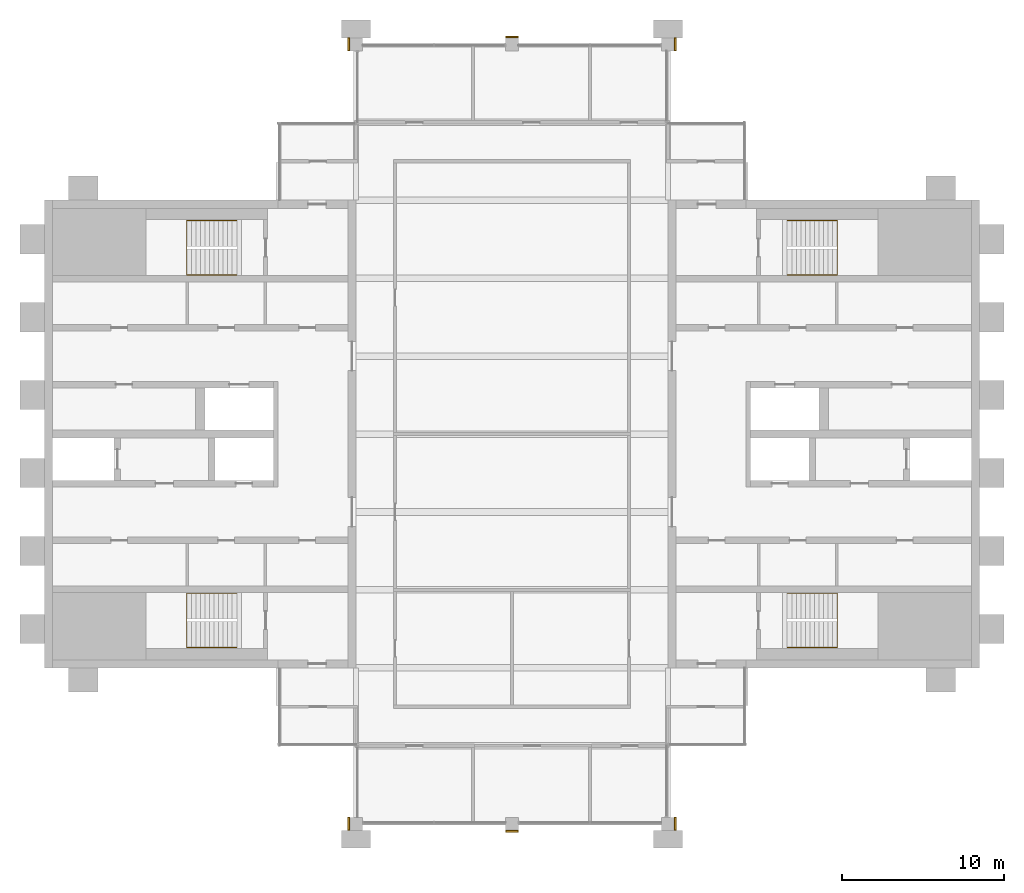
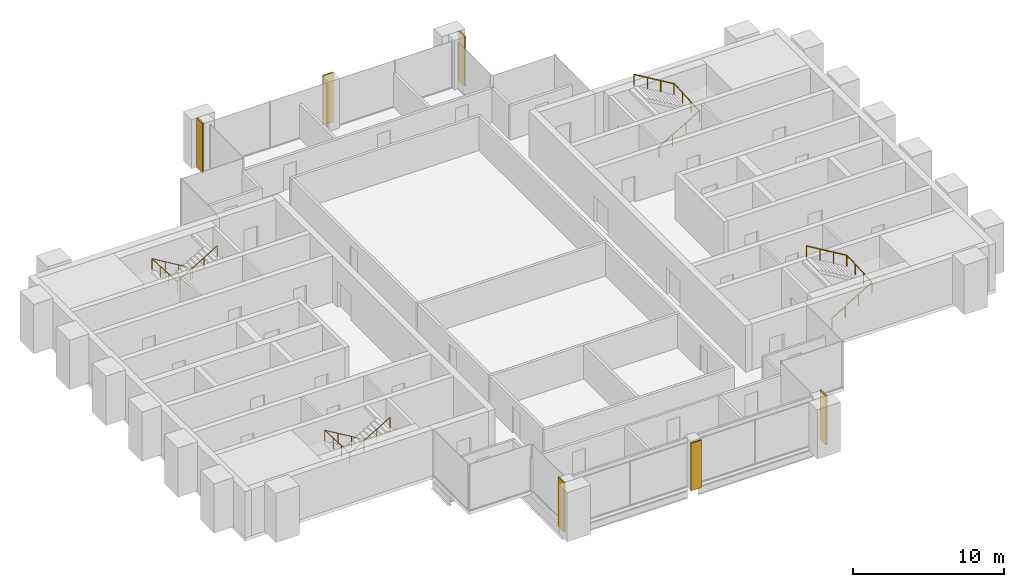
# One storey, part 11 of 11: 6 coverings, 4 railings.
"""IFC4 building model written with IfcOpenShell, lengths in metres."""

from ifc_helpers import new_model, si_unit, direction, frame, origin, origin_2d, place, context, subcontext, project, spatial, rectangle, circle, extrude, material, layer, layer_set, type_object, element, save


model = new_model("IFC4")

# Units and contexts
model_context = context("Model", 3, precision=1e-05, world=origin(), true_north=direction((0.0, 1.0)))
body_context = subcontext(model_context, "Body", "Model", "MODEL_VIEW")
ifc_project = project(units=[si_unit("LENGTHUNIT", "METRE"), si_unit("AREAUNIT", "SQUARE_METRE"), si_unit("VOLUMEUNIT", "CUBIC_METRE"), si_unit("PLANEANGLEUNIT", "RADIAN"), si_unit("MASSUNIT", "GRAM", prefix="KILO")], contexts=[model_context])

# Site, building, storey
site_placement = place(None, origin())
site = spatial("IfcSite", under=ifc_project, at=site_placement, CompositionType="ELEMENT")
building_placement = place(site_placement, origin())
building = spatial("IfcBuilding", under=site, at=building_placement, Name="Baori Bourse Tower", CompositionType="ELEMENT")
storey_placement = place(building_placement, frame((0.0, 0.0, 358.300048828125)))
storey = spatial("IfcBuildingStorey", under=building, at=storey_placement, Name="L80", CompositionType="ELEMENT", Elevation=358.300048828125)

# Railings
ifc_material_1 = material(Name="Powder-coated steel balustrade", Category="steel")
railing_type = type_object("IfcRailingType", Name="Core stair handrail", PredefinedType="HANDRAIL", material=ifc_material_1)
railing_1_placement = place(storey_placement, frame((11.85009765625, 14.199951171875, 0.16650390625)))
element("IfcRailing", 1, at=railing_1_placement, inside=storey, type_object=railing_type, Name="L80 ST1 stair handrail 1", PredefinedType="HANDRAIL", context=body_context, shape_type="SweptSolid", body=[
    extrude(circle(Radius=0.02392578125, at=origin_2d()), frame((0.0, 0.0, 0.8759765625), z_axis=(-0.85927862911, 0.0, 0.511507807912), x_axis=(0.0, -1.0, 0.0)), (0.0, 0.0, 1.0), 3.58447265625),
    extrude(circle(Radius=0.02392578125, at=origin_2d()), frame((-3.080078125, 0.0, 2.70947265625), z_axis=(0.0, -0.998766999029, 0.049643545903), x_axis=(1.0, 0.0, 0.0)), (0.0, 0.0, 1.0), 3.35400390625),
    extrude(circle(Radius=0.02392578125, at=origin_2d()), frame((-3.080078125, -3.349853515625, 2.8759765625), z_axis=(0.85927862911, 0.0, 0.511507807912), x_axis=(0.0, 1.0, 0.0)), (0.0, 0.0, 1.0), 3.58447265625),
    extrude(circle(Radius=0.02099609375, at=origin_2d()), origin(), (0.0, 0.0, 1.0), 0.851806640625),
    extrude(circle(Radius=0.02099609375, at=origin_2d()), frame((-1.026611328125, 0.0, 0.611083984375)), (0.0, 0.0, 1.0), 0.851806640625),
    extrude(circle(Radius=0.02099609375, at=origin_2d()), frame((-2.053466796875, 0.0, 1.222412109375)), (0.0, 0.0, 1.0), 0.851806640625),
    extrude(circle(Radius=0.02099609375, at=origin_2d()), frame((-3.080078125, 0.0, 1.83349609375)), (0.0, 0.0, 1.0), 0.851806640625),
    extrude(circle(Radius=0.02099609375, at=origin_2d()), frame((-3.080078125, -1.11669921875, 1.888916015625)), (0.0, 0.0, 1.0), 0.851806640625),
    extrude(circle(Radius=0.02099609375, at=origin_2d()), frame((-3.080078125, -2.233154296875, 1.944580078125)), (0.0, 0.0, 1.0), 0.851806640625),
    extrude(circle(Radius=0.02099609375, at=origin_2d()), frame((-3.080078125, -3.349853515625, 2.0)), (0.0, 0.0, 1.0), 0.851806640625),
    extrude(circle(Radius=0.02099609375, at=origin_2d()), frame((-2.053466796875, -3.349853515625, 2.611083984375)), (0.0, 0.0, 1.0), 0.851806640625),
    extrude(circle(Radius=0.02099609375, at=origin_2d()), frame((-1.026611328125, -3.349853515625, 3.222412109375)), (0.0, 0.0, 1.0), 0.851806640625),
    extrude(circle(Radius=0.02099609375, at=origin_2d()), frame((0.0, -3.349853515625, 3.83349609375)), (0.0, 0.0, 1.0), 0.851806640625),
])
railing_2_placement = place(storey_placement, frame((11.85009765625, 37.14990234375, 0.16650390625)))
element("IfcRailing", 2, at=railing_2_placement, inside=storey, type_object=railing_type, Name="L80 ST2 stair handrail 1", PredefinedType="HANDRAIL", context=body_context, shape_type="SweptSolid", body=[
    extrude(circle(Radius=0.02392578125, at=origin_2d()), frame((0.0, 0.0, 0.8759765625), z_axis=(-0.85927862911, 0.0, 0.511507807912), x_axis=(0.0, -1.0, 0.0)), (0.0, 0.0, 1.0), 3.58447265625),
    extrude(circle(Radius=0.02392578125, at=origin_2d()), frame((-3.080078125, 0.0, 2.70947265625), z_axis=(0.0, -0.998766999029, 0.049643545903), x_axis=(1.0, 0.0, 0.0)), (0.0, 0.0, 1.0), 3.35400390625),
    extrude(circle(Radius=0.02392578125, at=origin_2d()), frame((-3.080078125, -3.349853515625, 2.8759765625), z_axis=(0.85927862911, 0.0, 0.511507807912), x_axis=(0.0, 1.0, 0.0)), (0.0, 0.0, 1.0), 3.58447265625),
    extrude(circle(Radius=0.02099609375, at=origin_2d()), origin(), (0.0, 0.0, 1.0), 0.851806640625),
    extrude(circle(Radius=0.02099609375, at=origin_2d()), frame((-1.026611328125, 0.0, 0.611083984375)), (0.0, 0.0, 1.0), 0.851806640625),
    extrude(circle(Radius=0.02099609375, at=origin_2d()), frame((-2.053466796875, 0.0, 1.222412109375)), (0.0, 0.0, 1.0), 0.851806640625),
    extrude(circle(Radius=0.02099609375, at=origin_2d()), frame((-3.080078125, 0.0, 1.83349609375)), (0.0, 0.0, 1.0), 0.851806640625),
    extrude(circle(Radius=0.02099609375, at=origin_2d()), frame((-3.080078125, -1.11669921875, 1.888916015625)), (0.0, 0.0, 1.0), 0.851806640625),
    extrude(circle(Radius=0.02099609375, at=origin_2d()), frame((-3.080078125, -2.233154296875, 1.944580078125)), (0.0, 0.0, 1.0), 0.851806640625),
    extrude(circle(Radius=0.02099609375, at=origin_2d()), frame((-3.080078125, -3.349853515625, 2.0)), (0.0, 0.0, 1.0), 0.851806640625),
    extrude(circle(Radius=0.02099609375, at=origin_2d()), frame((-2.053466796875, -3.349853515625, 2.611083984375)), (0.0, 0.0, 1.0), 0.851806640625),
    extrude(circle(Radius=0.02099609375, at=origin_2d()), frame((-1.026611328125, -3.349853515625, 3.222412109375)), (0.0, 0.0, 1.0), 0.851806640625),
    extrude(circle(Radius=0.02099609375, at=origin_2d()), frame((0.0, -3.349853515625, 3.83349609375)), (0.0, 0.0, 1.0), 0.851806640625),
])
railing_3_placement = place(storey_placement, frame((45.75, 10.85009765625, 0.16650390625)))
element("IfcRailing", 3, at=railing_3_placement, inside=storey, type_object=railing_type, Name="L80 ST3 stair handrail 1", PredefinedType="HANDRAIL", context=body_context, shape_type="SweptSolid", body=[
    extrude(circle(Radius=0.02392578125, at=origin_2d()), frame((0.0, 0.0, 0.8759765625), z_axis=(0.85927862911, 0.0, 0.511507807912), x_axis=(0.0, 1.0, 0.0)), (0.0, 0.0, 1.0), 3.58447265625),
    extrude(circle(Radius=0.02392578125, at=origin_2d()), frame((3.080078125, 0.0, 2.70947265625), z_axis=(0.0, 0.998766999029, 0.049643545903), x_axis=(-1.0, 0.0, 0.0)), (0.0, 0.0, 1.0), 3.35400390625),
    extrude(circle(Radius=0.02392578125, at=origin_2d()), frame((3.080078125, 3.349853515625, 2.8759765625), z_axis=(-0.85927862911, 0.0, 0.511507807912), x_axis=(0.0, -1.0, 0.0)), (0.0, 0.0, 1.0), 3.58447265625),
    extrude(circle(Radius=0.02099609375, at=origin_2d()), origin(), (0.0, 0.0, 1.0), 0.851806640625),
    extrude(circle(Radius=0.02099609375, at=origin_2d()), frame((1.026611328125, 0.0, 0.611083984375)), (0.0, 0.0, 1.0), 0.851806640625),
    extrude(circle(Radius=0.02099609375, at=origin_2d()), frame((2.053466796875, 0.0, 1.222412109375)), (0.0, 0.0, 1.0), 0.851806640625),
    extrude(circle(Radius=0.02099609375, at=origin_2d()), frame((3.080078125, 0.0, 1.83349609375)), (0.0, 0.0, 1.0), 0.851806640625),
    extrude(circle(Radius=0.02099609375, at=origin_2d()), frame((3.080078125, 1.11669921875, 1.888916015625)), (0.0, 0.0, 1.0), 0.851806640625),
    extrude(circle(Radius=0.02099609375, at=origin_2d()), frame((3.080078125, 2.233154296875, 1.944580078125)), (0.0, 0.0, 1.0), 0.851806640625),
    extrude(circle(Radius=0.02099609375, at=origin_2d()), frame((3.080078125, 3.349853515625, 2.0)), (0.0, 0.0, 1.0), 0.851806640625),
    extrude(circle(Radius=0.02099609375, at=origin_2d()), frame((2.053466796875, 3.349853515625, 2.611083984375)), (0.0, 0.0, 1.0), 0.851806640625),
    extrude(circle(Radius=0.02099609375, at=origin_2d()), frame((1.026611328125, 3.349853515625, 3.222412109375)), (0.0, 0.0, 1.0), 0.851806640625),
    extrude(circle(Radius=0.02099609375, at=origin_2d()), frame((0.0, 3.349853515625, 3.83349609375)), (0.0, 0.0, 1.0), 0.851806640625),
])
railing_4_placement = place(storey_placement, frame((45.75, 33.800048828125, 0.16650390625)))
element("IfcRailing", 4, at=railing_4_placement, inside=storey, type_object=railing_type, Name="L80 ST4 stair handrail 1", PredefinedType="HANDRAIL", context=body_context, shape_type="SweptSolid", body=[
    extrude(circle(Radius=0.02392578125, at=origin_2d()), frame((0.0, 0.0, 0.8759765625), z_axis=(0.85927862911, 0.0, 0.511507807912), x_axis=(0.0, 1.0, 0.0)), (0.0, 0.0, 1.0), 3.58447265625),
    extrude(circle(Radius=0.02392578125, at=origin_2d()), frame((3.080078125, 0.0, 2.70947265625), z_axis=(0.0, 0.998766999029, 0.049643545903), x_axis=(-1.0, 0.0, 0.0)), (0.0, 0.0, 1.0), 3.35400390625),
    extrude(circle(Radius=0.02392578125, at=origin_2d()), frame((3.080078125, 3.349853515625, 2.8759765625), z_axis=(-0.85927862911, 0.0, 0.511507807912), x_axis=(0.0, -1.0, 0.0)), (0.0, 0.0, 1.0), 3.58447265625),
    extrude(circle(Radius=0.02099609375, at=origin_2d()), origin(), (0.0, 0.0, 1.0), 0.851806640625),
    extrude(circle(Radius=0.02099609375, at=origin_2d()), frame((1.026611328125, 0.0, 0.611083984375)), (0.0, 0.0, 1.0), 0.851806640625),
    extrude(circle(Radius=0.02099609375, at=origin_2d()), frame((2.053466796875, 0.0, 1.222412109375)), (0.0, 0.0, 1.0), 0.851806640625),
    extrude(circle(Radius=0.02099609375, at=origin_2d()), frame((3.080078125, 0.0, 1.83349609375)), (0.0, 0.0, 1.0), 0.851806640625),
    extrude(circle(Radius=0.02099609375, at=origin_2d()), frame((3.080078125, 1.11669921875, 1.888916015625)), (0.0, 0.0, 1.0), 0.851806640625),
    extrude(circle(Radius=0.02099609375, at=origin_2d()), frame((3.080078125, 2.233154296875, 1.944580078125)), (0.0, 0.0, 1.0), 0.851806640625),
    extrude(circle(Radius=0.02099609375, at=origin_2d()), frame((3.080078125, 3.349853515625, 2.0)), (0.0, 0.0, 1.0), 0.851806640625),
    extrude(circle(Radius=0.02099609375, at=origin_2d()), frame((2.053466796875, 3.349853515625, 2.611083984375)), (0.0, 0.0, 1.0), 0.851806640625),
    extrude(circle(Radius=0.02099609375, at=origin_2d()), frame((1.026611328125, 3.349853515625, 3.222412109375)), (0.0, 0.0, 1.0), 0.851806640625),
    extrude(circle(Radius=0.02099609375, at=origin_2d()), frame((0.0, 3.349853515625, 3.83349609375)), (0.0, 0.0, 1.0), 0.851806640625),
])

# Coverings
ifc_material_2 = material(Name="Face brick", Category="masonry")
ifc_layer = layer(ifc_material_2, 0.110107421875)
ifc_layer_set = layer_set([ifc_layer], Name="PC1 Brick pier facing")
covering_type = type_object("IfcCoveringType", Name="PC1 Brick pier facing", PredefinedType="CLADDING", material=ifc_layer_set)
covering_1_placement = place(storey_placement, frame((18.7451171875, 0.0, 0.0), z_axis=(0.0, 0.0, 1.0), x_axis=(1.0, 0.0, 0.0)))
element("IfcCovering", 5, at=covering_1_placement, inside=storey, type_object=covering_type, Name="Brick pier facing L80 1", PredefinedType="CLADDING", context=body_context, shape_type="SweptSolid", body=[
    extrude(rectangle(XDim=0.110107421875, YDim=0.800048828125, at=origin_2d()), origin(), (0.0, 0.0, 1.0), 4.0),
])
covering_2_placement = place(storey_placement, frame((28.800048828125, -0.455078125, 0.0), z_axis=(0.0, 0.0, 1.0), x_axis=(1.0, 0.0, 0.0)))
element("IfcCovering", 6, at=covering_2_placement, inside=storey, type_object=covering_type, Name="Brick pier facing L80 2", PredefinedType="CLADDING", context=body_context, shape_type="SweptSolid", body=[
    extrude(rectangle(XDim=0.800048828125, YDim=0.110107421875, at=origin_2d()), origin(), (0.0, 0.0, 1.0), 3.844970703125),
])
for number, where, z_axis, x_axis, name in (
    (7, (38.85498046875, 0.0, 0.0), (0.0, 0.0, 1.0), (1.0, 0.0, 0.0), "Brick pier facing L80 3"),
    (8, (18.7451171875, 48.0, 0.0), (0.0, 0.0, 1.0), (1.0, 0.0, 0.0), "Brick pier facing L80 4"),
):
    element("IfcCovering", number, at=place(storey_placement, frame(where, z_axis=z_axis, x_axis=x_axis)), inside=storey, type_object=covering_type, Name=name, PredefinedType="CLADDING", context=body_context, shape_type="SweptSolid", body=[
        extrude(rectangle(XDim=0.110107421875, YDim=0.800048828125, at=origin_2d()), origin(), (0.0, 0.0, 1.0), 4.0),
    ])
covering_3_placement = place(storey_placement, frame((28.800048828125, 48.455078125, 0.0), z_axis=(0.0, 0.0, 1.0), x_axis=(1.0, 0.0, 0.0)))
element("IfcCovering", 9, at=covering_3_placement, inside=storey, type_object=covering_type, Name="Brick pier facing L80 5", PredefinedType="CLADDING", context=body_context, shape_type="SweptSolid", body=[
    extrude(rectangle(XDim=0.800048828125, YDim=0.110107421875, at=origin_2d()), origin(), (0.0, 0.0, 1.0), 4.0),
])
covering_4_placement = place(storey_placement, frame((38.85498046875, 48.0, 0.0), z_axis=(0.0, 0.0, 1.0), x_axis=(1.0, 0.0, 0.0)))
element("IfcCovering", 10, at=covering_4_placement, inside=storey, type_object=covering_type, Name="Brick pier facing L80 6", PredefinedType="CLADDING", context=body_context, shape_type="SweptSolid", body=[
    extrude(rectangle(XDim=0.110107421875, YDim=0.800048828125, at=origin_2d()), origin(), (0.0, 0.0, 1.0), 4.0),
])

save(model, "model.ifc")
